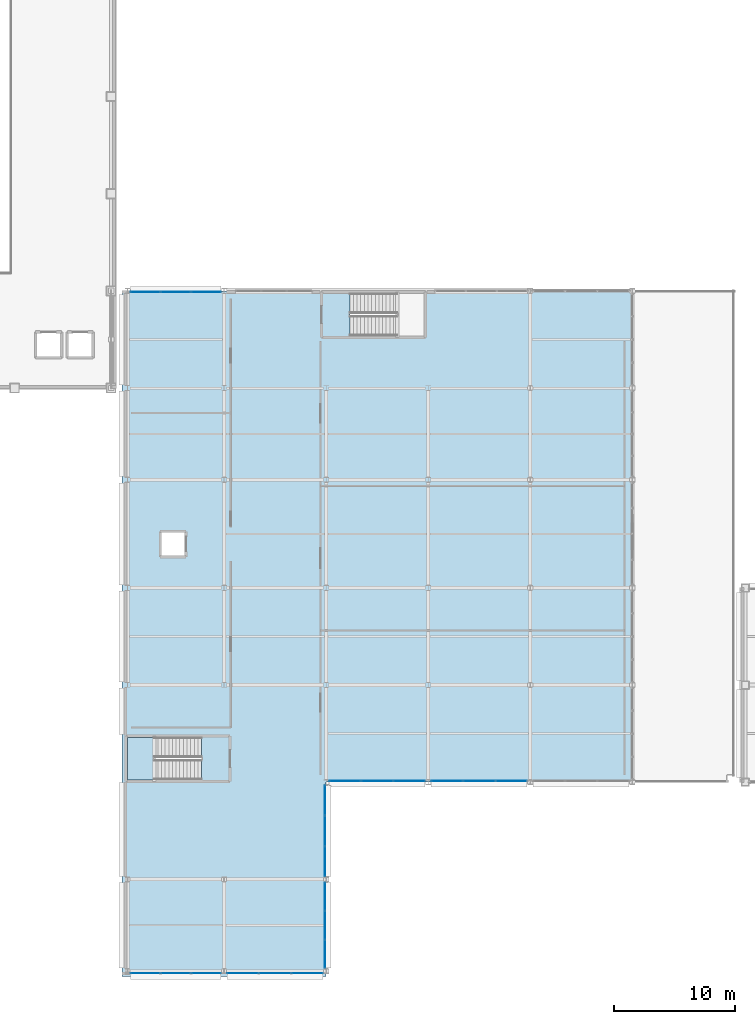
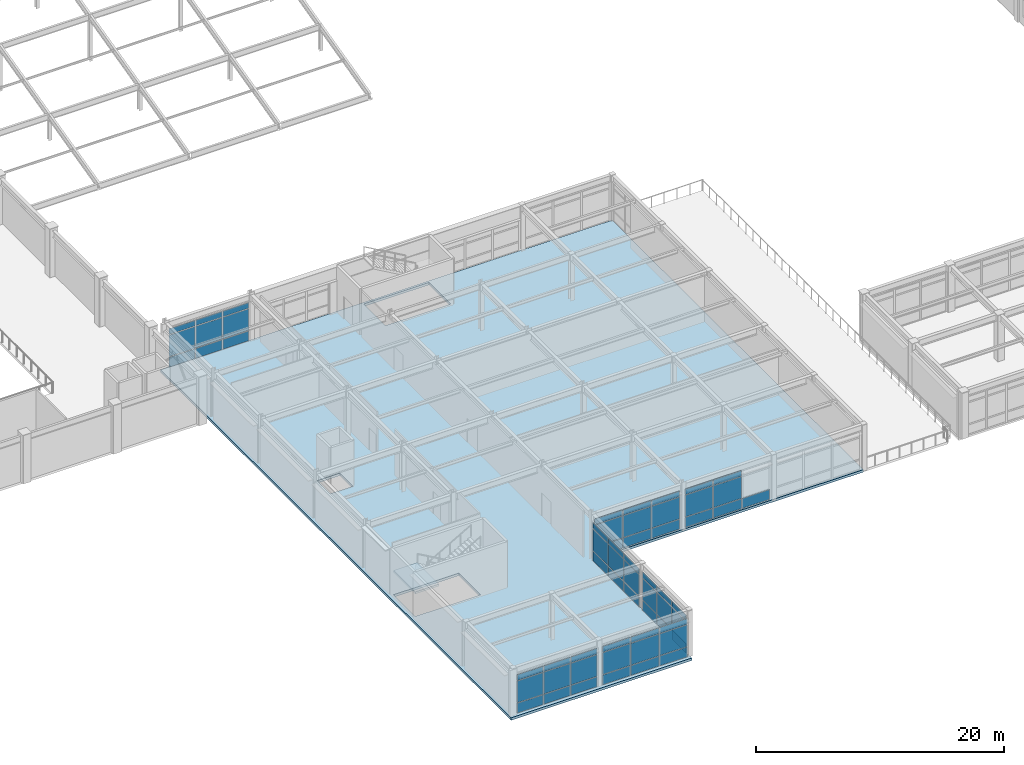
# One storey, part 65 of 93: 61 plates, 2 slabs, 8 elements without a shape of their own.
"""IFC4 building model written with IfcOpenShell, lengths in metres."""

from ifc_helpers import new_model, si_unit, direction, frame, origin, origin_2d, place, context, subcontext, project, spatial, polyline, rectangle, outline, extrude, material, layer, layer_set, type_object, element, aggregate, save


model = new_model("IFC4")

# Units and contexts
model_context = context("Model", 3, precision=1e-05, world=origin(), true_north=direction((0.0, 1.0)))
body_context = subcontext(model_context, "Body", "Model", "MODEL_VIEW")
ifc_project = project(units=[si_unit("LENGTHUNIT", "METRE"), si_unit("AREAUNIT", "SQUARE_METRE"), si_unit("VOLUMEUNIT", "CUBIC_METRE"), si_unit("PLANEANGLEUNIT", "RADIAN"), si_unit("MASSUNIT", "GRAM", prefix="KILO")], contexts=[model_context])

# Site, building, storey
site_placement = place(None, origin())
site = spatial("IfcSite", under=ifc_project, at=site_placement, CompositionType="ELEMENT")
building_placement = place(site_placement, origin())
building = spatial("IfcBuilding", under=site, at=building_placement, Name="Kazehara Bluff Congress Hotel", CompositionType="ELEMENT")
storey_placement = place(building_placement, frame((0.0, 0.0, 15.0)))
storey = spatial("IfcBuildingStorey", under=building, at=storey_placement, Name="L03", CompositionType="ELEMENT", Elevation=15.0)

# Curtain wall, plates
ifc_material_1 = material(Name="Anodised aluminium", Category="aluminium")
ifc_layer_1 = layer(ifc_material_1, 0.159912109375)
ifc_layer_set_1 = layer_set([ifc_layer_1], Name="Anodised aluminium")
curtain_wall_type_1 = type_object("IfcCurtainWallType", Name="TP-CW-21", PredefinedType="NOTDEFINED", material=ifc_layer_set_1)
curtain_wall_1_placement = place(storey_placement, origin())
curtain_wall_1 = element("IfcCurtainWall", 1, at=curtain_wall_1_placement, inside=storey, type_object=curtain_wall_type_1, Name="L03 curtain wall CW-21 CW-ENC-V4-L03-6368-27", PredefinedType="NOTDEFINED")
ifc_material_2 = material(Name="Insulated low-E double glazing", Category="glass")
ifc_layer_2 = layer(ifc_material_2, 0.028076171875)
ifc_layer_set_2 = layer_set([ifc_layer_2], Name="Insulated low-E double glazing")
plate_type = type_object("IfcPlateType", Name="TP-CWP-01", PredefinedType="CURTAIN_PANEL", material=ifc_layer_set_2)
plate_1_placement = place(storey_placement, frame((66.175537109375, 0.27001953125, 0.06494140625), z_axis=(0.0, 0.0, 1.0), x_axis=(-1.0, 0.0, 0.0)))
plate_1 = element("IfcPlate", 2, at=plate_1_placement, type_object=plate_type, Name="CW-21 panel 1.1", PredefinedType="CURTAIN_PANEL", context=body_context, shape_type="SweptSolid", body=[
    extrude(rectangle(XDim=2.419189453125, YDim=0.028076171875, at=origin_2d()), origin(), (0.0, 0.0, 1.0), 0.952392578125),
])
plate_2_placement = place(storey_placement, frame((66.175537109375, 0.27001953125, 1.08251953125), z_axis=(0.0, 0.0, 1.0), x_axis=(-1.0, 0.0, 0.0)))
plate_2 = element("IfcPlate", 3, at=plate_2_placement, type_object=plate_type, Name="CW-21 panel 1.2", PredefinedType="CURTAIN_PANEL", context=body_context, shape_type="SweptSolid", body=[
    extrude(rectangle(XDim=2.419189453125, YDim=0.028076171875, at=origin_2d()), origin(), (0.0, 0.0, 1.0), 2.1201171875),
])
plate_3_placement = place(storey_placement, frame((66.175537109375, 0.27001953125, 3.267578125), z_axis=(0.0, 0.0, 1.0), x_axis=(-1.0, 0.0, 0.0)))
plate_3 = element("IfcPlate", 4, at=plate_3_placement, type_object=plate_type, Name="CW-21 panel 1.3", PredefinedType="CURTAIN_PANEL", context=body_context, shape_type="SweptSolid", body=[
    extrude(rectangle(XDim=2.419189453125, YDim=0.028076171875, at=origin_2d()), origin(), (0.0, 0.0, 1.0), 0.552490234375),
])
plate_4_placement = place(storey_placement, frame((63.675048828125, 0.27001953125, 0.06494140625), z_axis=(0.0, 0.0, 1.0), x_axis=(-1.0, 0.0, 0.0)))
plate_4 = element("IfcPlate", 5, at=plate_4_placement, type_object=plate_type, Name="CW-21 panel 2.1", PredefinedType="CURTAIN_PANEL", context=body_context, shape_type="SweptSolid", body=[
    extrude(rectangle(XDim=2.45166015625, YDim=0.028076171875, at=origin_2d()), origin(), (0.0, 0.0, 1.0), 0.952392578125),
])
plate_5_placement = place(storey_placement, frame((63.675048828125, 0.27001953125, 1.08251953125), z_axis=(0.0, 0.0, 1.0), x_axis=(-1.0, 0.0, 0.0)))
plate_5 = element("IfcPlate", 6, at=plate_5_placement, type_object=plate_type, Name="CW-21 panel 2.2", PredefinedType="CURTAIN_PANEL", context=body_context, shape_type="SweptSolid", body=[
    extrude(rectangle(XDim=2.45166015625, YDim=0.028076171875, at=origin_2d()), origin(), (0.0, 0.0, 1.0), 2.1201171875),
])
plate_6_placement = place(storey_placement, frame((63.675048828125, 0.27001953125, 3.267578125), z_axis=(0.0, 0.0, 1.0), x_axis=(-1.0, 0.0, 0.0)))
plate_6 = element("IfcPlate", 7, at=plate_6_placement, type_object=plate_type, Name="CW-21 panel 2.3", PredefinedType="CURTAIN_PANEL", context=body_context, shape_type="SweptSolid", body=[
    extrude(rectangle(XDim=2.45166015625, YDim=0.028076171875, at=origin_2d()), origin(), (0.0, 0.0, 1.0), 0.552490234375),
])
plate_7_placement = place(storey_placement, frame((61.174560546875, 0.27001953125, 0.06494140625), z_axis=(0.0, 0.0, 1.0), x_axis=(-1.0, 0.0, 0.0)))
plate_7 = element("IfcPlate", 8, at=plate_7_placement, type_object=plate_type, Name="CW-21 panel 3.1", PredefinedType="CURTAIN_PANEL", context=body_context, shape_type="SweptSolid", body=[
    extrude(rectangle(XDim=2.419189453125, YDim=0.028076171875, at=origin_2d()), origin(), (0.0, 0.0, 1.0), 0.952392578125),
])
plate_8_placement = place(storey_placement, frame((61.174560546875, 0.27001953125, 1.08251953125), z_axis=(0.0, 0.0, 1.0), x_axis=(-1.0, 0.0, 0.0)))
plate_8 = element("IfcPlate", 9, at=plate_8_placement, type_object=plate_type, Name="CW-21 panel 3.2", PredefinedType="CURTAIN_PANEL", context=body_context, shape_type="SweptSolid", body=[
    extrude(rectangle(XDim=2.419189453125, YDim=0.028076171875, at=origin_2d()), origin(), (0.0, 0.0, 1.0), 2.1201171875),
])
plate_9_placement = place(storey_placement, frame((61.174560546875, 0.27001953125, 3.267578125), z_axis=(0.0, 0.0, 1.0), x_axis=(-1.0, 0.0, 0.0)))
plate_9 = element("IfcPlate", 10, at=plate_9_placement, type_object=plate_type, Name="CW-21 panel 3.3", PredefinedType="CURTAIN_PANEL", context=body_context, shape_type="SweptSolid", body=[
    extrude(rectangle(XDim=2.419189453125, YDim=0.028076171875, at=origin_2d()), origin(), (0.0, 0.0, 1.0), 0.552490234375),
])
aggregate(curtain_wall_1, [plate_1, plate_2, plate_3, plate_4, plate_5, plate_6, plate_7, plate_8, plate_9])

ifc_material_3 = material(Name="Anodised aluminium", Category="aluminium")
ifc_layer_3 = layer(ifc_material_3, 0.159912109375)
ifc_layer_set_3 = layer_set([ifc_layer_3], Name="Anodised aluminium")
curtain_wall_type_2 = type_object("IfcCurtainWallType", Name="TP-CW-143", PredefinedType="NOTDEFINED", material=ifc_layer_set_3)
curtain_wall_2_placement = place(storey_placement, origin())
curtain_wall_2 = element("IfcCurtainWall", 11, at=curtain_wall_2_placement, inside=storey, type_object=curtain_wall_type_2, Name="L03 curtain wall CW-143 CW-ENC-V4-L03-7185-27", PredefinedType="NOTDEFINED")
plate_10_placement = place(storey_placement, frame((74.50048828125, 0.27001953125, 0.06494140625), z_axis=(0.0, 0.0, 1.0), x_axis=(-1.0, 0.0, 0.0)))
plate_10 = element("IfcPlate", 12, at=plate_10_placement, type_object=plate_type, Name="CW-143 panel 1.1", PredefinedType="CURTAIN_PANEL", context=body_context, shape_type="SweptSolid", body=[
    extrude(rectangle(XDim=2.569091796875, YDim=0.028076171875, at=origin_2d()), origin(), (0.0, 0.0, 1.0), 0.952392578125),
])
plate_11_placement = place(storey_placement, frame((74.50048828125, 0.27001953125, 1.08251953125), z_axis=(0.0, 0.0, 1.0), x_axis=(-1.0, 0.0, 0.0)))
plate_11 = element("IfcPlate", 13, at=plate_11_placement, type_object=plate_type, Name="CW-143 panel 1.2", PredefinedType="CURTAIN_PANEL", context=body_context, shape_type="SweptSolid", body=[
    extrude(rectangle(XDim=2.569091796875, YDim=0.028076171875, at=origin_2d()), origin(), (0.0, 0.0, 1.0), 2.1201171875),
])
plate_12_placement = place(storey_placement, frame((74.50048828125, 0.27001953125, 3.267578125), z_axis=(0.0, 0.0, 1.0), x_axis=(-1.0, 0.0, 0.0)))
plate_12 = element("IfcPlate", 14, at=plate_12_placement, type_object=plate_type, Name="CW-143 panel 1.3", PredefinedType="CURTAIN_PANEL", context=body_context, shape_type="SweptSolid", body=[
    extrude(rectangle(XDim=2.569091796875, YDim=0.028076171875, at=origin_2d()), origin(), (0.0, 0.0, 1.0), 0.552490234375),
])
plate_13_placement = place(storey_placement, frame((71.85009765625, 0.27001953125, 0.06494140625), z_axis=(0.0, 0.0, 1.0), x_axis=(-1.0, 0.0, 0.0)))
plate_13 = element("IfcPlate", 15, at=plate_13_placement, type_object=plate_type, Name="CW-143 panel 2.1", PredefinedType="CURTAIN_PANEL", context=body_context, shape_type="SweptSolid", body=[
    extrude(rectangle(XDim=2.6015625, YDim=0.028076171875, at=origin_2d()), origin(), (0.0, 0.0, 1.0), 0.952392578125),
])
plate_14_placement = place(storey_placement, frame((71.85009765625, 0.27001953125, 1.08251953125), z_axis=(0.0, 0.0, 1.0), x_axis=(-1.0, 0.0, 0.0)))
plate_14 = element("IfcPlate", 16, at=plate_14_placement, type_object=plate_type, Name="CW-143 panel 2.2", PredefinedType="CURTAIN_PANEL", context=body_context, shape_type="SweptSolid", body=[
    extrude(rectangle(XDim=2.6015625, YDim=0.028076171875, at=origin_2d()), origin(), (0.0, 0.0, 1.0), 2.1201171875),
])
plate_15_placement = place(storey_placement, frame((71.85009765625, 0.27001953125, 3.267578125), z_axis=(0.0, 0.0, 1.0), x_axis=(-1.0, 0.0, 0.0)))
plate_15 = element("IfcPlate", 17, at=plate_15_placement, type_object=plate_type, Name="CW-143 panel 2.3", PredefinedType="CURTAIN_PANEL", context=body_context, shape_type="SweptSolid", body=[
    extrude(rectangle(XDim=2.6015625, YDim=0.028076171875, at=origin_2d()), origin(), (0.0, 0.0, 1.0), 0.552490234375),
])
plate_16_placement = place(storey_placement, frame((69.199462890625, 0.27001953125, 0.06494140625), z_axis=(0.0, 0.0, 1.0), x_axis=(-1.0, 0.0, 0.0)))
plate_16 = element("IfcPlate", 18, at=plate_16_placement, type_object=plate_type, Name="CW-143 panel 3.1", PredefinedType="CURTAIN_PANEL", context=body_context, shape_type="SweptSolid", body=[
    extrude(rectangle(XDim=2.569091796875, YDim=0.028076171875, at=origin_2d()), origin(), (0.0, 0.0, 1.0), 0.952392578125),
])
plate_17_placement = place(storey_placement, frame((69.199462890625, 0.27001953125, 1.08251953125), z_axis=(0.0, 0.0, 1.0), x_axis=(-1.0, 0.0, 0.0)))
plate_17 = element("IfcPlate", 19, at=plate_17_placement, type_object=plate_type, Name="CW-143 panel 3.2", PredefinedType="CURTAIN_PANEL", context=body_context, shape_type="SweptSolid", body=[
    extrude(rectangle(XDim=2.569091796875, YDim=0.028076171875, at=origin_2d()), origin(), (0.0, 0.0, 1.0), 2.1201171875),
])
plate_18_placement = place(storey_placement, frame((69.199462890625, 0.27001953125, 3.267578125), z_axis=(0.0, 0.0, 1.0), x_axis=(-1.0, 0.0, 0.0)))
plate_18 = element("IfcPlate", 20, at=plate_18_placement, type_object=plate_type, Name="CW-143 panel 3.3", PredefinedType="CURTAIN_PANEL", context=body_context, shape_type="SweptSolid", body=[
    extrude(rectangle(XDim=2.569091796875, YDim=0.028076171875, at=origin_2d()), origin(), (0.0, 0.0, 1.0), 0.552490234375),
])
aggregate(curtain_wall_2, [plate_10, plate_11, plate_12, plate_13, plate_14, plate_15, plate_16, plate_17, plate_18])

ifc_material_4 = material(Name="Anodised aluminium", Category="aluminium")
ifc_layer_4 = layer(ifc_material_4, 0.159912109375)
ifc_layer_set_4 = layer_set([ifc_layer_4], Name="Anodised aluminium")
curtain_wall_type_3 = type_object("IfcCurtainWallType", Name="TP-CW-144", PredefinedType="NOTDEFINED", material=ifc_layer_set_4)
curtain_wall_3_placement = place(storey_placement, origin())
curtain_wall_3 = element("IfcCurtainWall", 21, at=curtain_wall_3_placement, inside=storey, type_object=curtain_wall_type_3, Name="L03 curtain wall CW-144 CW-ENC-V4-L03-7595-422", PredefinedType="NOTDEFINED")
plate_19_placement = place(storey_placement, frame((75.949951171875, 6.592041015625, 0.06494140625), z_axis=(0.0, 0.0, 1.0), x_axis=(0.0, -1.0, 0.0)))
plate_19 = element("IfcPlate", 22, at=plate_19_placement, type_object=plate_type, Name="CW-144 panel 1.1", PredefinedType="CURTAIN_PANEL", context=body_context, shape_type="SweptSolid", body=[
    extrude(rectangle(XDim=2.285888671875, YDim=0.028076171875, at=origin_2d()), origin(), (0.0, 0.0, 1.0), 0.952392578125),
])
plate_20_placement = place(storey_placement, frame((75.949951171875, 6.592041015625, 1.08251953125), z_axis=(0.0, 0.0, 1.0), x_axis=(0.0, -1.0, 0.0)))
plate_20 = element("IfcPlate", 23, at=plate_20_placement, type_object=plate_type, Name="CW-144 panel 1.2", PredefinedType="CURTAIN_PANEL", context=body_context, shape_type="SweptSolid", body=[
    extrude(rectangle(XDim=2.285888671875, YDim=0.028076171875, at=origin_2d()), origin(), (0.0, 0.0, 1.0), 2.1201171875),
])
plate_21_placement = place(storey_placement, frame((75.949951171875, 6.592041015625, 3.267578125), z_axis=(0.0, 0.0, 1.0), x_axis=(0.0, -1.0, 0.0)))
plate_21 = element("IfcPlate", 24, at=plate_21_placement, type_object=plate_type, Name="CW-144 panel 1.3", PredefinedType="CURTAIN_PANEL", context=body_context, shape_type="SweptSolid", body=[
    extrude(rectangle(XDim=2.285888671875, YDim=0.028076171875, at=origin_2d()), origin(), (0.0, 0.0, 1.0), 0.552490234375),
])
plate_22_placement = place(storey_placement, frame((75.949951171875, 4.22509765625, 0.06494140625), z_axis=(0.0, 0.0, 1.0), x_axis=(0.0, -1.0, 0.0)))
plate_22 = element("IfcPlate", 25, at=plate_22_placement, type_object=plate_type, Name="CW-144 panel 2.1", PredefinedType="CURTAIN_PANEL", context=body_context, shape_type="SweptSolid", body=[
    extrude(rectangle(XDim=2.318359375, YDim=0.028076171875, at=origin_2d()), origin(), (0.0, 0.0, 1.0), 0.952392578125),
])
plate_23_placement = place(storey_placement, frame((75.949951171875, 4.22509765625, 1.08251953125), z_axis=(0.0, 0.0, 1.0), x_axis=(0.0, -1.0, 0.0)))
plate_23 = element("IfcPlate", 26, at=plate_23_placement, type_object=plate_type, Name="CW-144 panel 2.2", PredefinedType="CURTAIN_PANEL", context=body_context, shape_type="SweptSolid", body=[
    extrude(rectangle(XDim=2.318359375, YDim=0.028076171875, at=origin_2d()), origin(), (0.0, 0.0, 1.0), 2.1201171875),
])
plate_24_placement = place(storey_placement, frame((75.949951171875, 4.22509765625, 3.267578125), z_axis=(0.0, 0.0, 1.0), x_axis=(0.0, -1.0, 0.0)))
plate_24 = element("IfcPlate", 27, at=plate_24_placement, type_object=plate_type, Name="CW-144 panel 2.3", PredefinedType="CURTAIN_PANEL", context=body_context, shape_type="SweptSolid", body=[
    extrude(rectangle(XDim=2.318359375, YDim=0.028076171875, at=origin_2d()), origin(), (0.0, 0.0, 1.0), 0.552490234375),
])
plate_25_placement = place(storey_placement, frame((75.949951171875, 1.85791015625, 0.06494140625), z_axis=(0.0, 0.0, 1.0), x_axis=(0.0, -1.0, 0.0)))
plate_25 = element("IfcPlate", 28, at=plate_25_placement, type_object=plate_type, Name="CW-144 panel 3.1", PredefinedType="CURTAIN_PANEL", context=body_context, shape_type="SweptSolid", body=[
    extrude(rectangle(XDim=2.285888671875, YDim=0.028076171875, at=origin_2d()), origin(), (0.0, 0.0, 1.0), 0.952392578125),
])
plate_26_placement = place(storey_placement, frame((75.949951171875, 1.85791015625, 1.08251953125), z_axis=(0.0, 0.0, 1.0), x_axis=(0.0, -1.0, 0.0)))
plate_26 = element("IfcPlate", 29, at=plate_26_placement, type_object=plate_type, Name="CW-144 panel 3.2", PredefinedType="CURTAIN_PANEL", context=body_context, shape_type="SweptSolid", body=[
    extrude(rectangle(XDim=2.285888671875, YDim=0.028076171875, at=origin_2d()), origin(), (0.0, 0.0, 1.0), 2.1201171875),
])
plate_27_placement = place(storey_placement, frame((75.949951171875, 1.85791015625, 3.267578125), z_axis=(0.0, 0.0, 1.0), x_axis=(0.0, -1.0, 0.0)))
plate_27 = element("IfcPlate", 30, at=plate_27_placement, type_object=plate_type, Name="CW-144 panel 3.3", PredefinedType="CURTAIN_PANEL", context=body_context, shape_type="SweptSolid", body=[
    extrude(rectangle(XDim=2.285888671875, YDim=0.028076171875, at=origin_2d()), origin(), (0.0, 0.0, 1.0), 0.552490234375),
])
aggregate(curtain_wall_3, [plate_19, plate_20, plate_21, plate_22, plate_23, plate_24, plate_25, plate_26, plate_27])

ifc_material_5 = material(Name="Anodised aluminium", Category="aluminium")
ifc_layer_5 = layer(ifc_material_5, 0.159912109375)
ifc_layer_set_5 = layer_set([ifc_layer_5], Name="Anodised aluminium")
curtain_wall_type_4 = type_object("IfcCurtainWallType", Name="TP-CW-129", PredefinedType="NOTDEFINED", material=ifc_layer_set_5)
curtain_wall_4_placement = place(storey_placement, origin())
curtain_wall_4 = element("IfcCurtainWall", 31, at=curtain_wall_4_placement, inside=storey, type_object=curtain_wall_type_4, Name="L03 curtain wall CW-129 CW-ENC-V4-L03-7595-1200", PredefinedType="NOTDEFINED")
plate_28_placement = place(storey_placement, frame((75.949951171875, 14.51708984375, 0.06494140625), z_axis=(0.0, 0.0, 1.0), x_axis=(0.0, -1.0, 0.0)))
plate_28 = element("IfcPlate", 32, at=plate_28_placement, type_object=plate_type, Name="CW-129 panel 1.1", PredefinedType="CURTAIN_PANEL", context=body_context, shape_type="SweptSolid", body=[
    extrude(rectangle(XDim=2.435791015625, YDim=0.028076171875, at=origin_2d()), origin(), (0.0, 0.0, 1.0), 0.952392578125),
])
plate_29_placement = place(storey_placement, frame((75.949951171875, 14.51708984375, 1.08251953125), z_axis=(0.0, 0.0, 1.0), x_axis=(0.0, -1.0, 0.0)))
plate_29 = element("IfcPlate", 33, at=plate_29_placement, type_object=plate_type, Name="CW-129 panel 1.2", PredefinedType="CURTAIN_PANEL", context=body_context, shape_type="SweptSolid", body=[
    extrude(rectangle(XDim=2.435791015625, YDim=0.028076171875, at=origin_2d()), origin(), (0.0, 0.0, 1.0), 2.1201171875),
])
plate_30_placement = place(storey_placement, frame((75.949951171875, 14.51708984375, 3.267578125), z_axis=(0.0, 0.0, 1.0), x_axis=(0.0, -1.0, 0.0)))
plate_30 = element("IfcPlate", 34, at=plate_30_placement, type_object=plate_type, Name="CW-129 panel 1.3", PredefinedType="CURTAIN_PANEL", context=body_context, shape_type="SweptSolid", body=[
    extrude(rectangle(XDim=2.435791015625, YDim=0.028076171875, at=origin_2d()), origin(), (0.0, 0.0, 1.0), 0.552490234375),
])
plate_31_placement = place(storey_placement, frame((75.949951171875, 12.0, 0.06494140625), z_axis=(0.0, 0.0, 1.0), x_axis=(0.0, -1.0, 0.0)))
plate_31 = element("IfcPlate", 35, at=plate_31_placement, type_object=plate_type, Name="CW-129 panel 2.1", PredefinedType="CURTAIN_PANEL", context=body_context, shape_type="SweptSolid", body=[
    extrude(rectangle(XDim=2.46826171875, YDim=0.028076171875, at=origin_2d()), origin(), (0.0, 0.0, 1.0), 0.952392578125),
])
plate_32_placement = place(storey_placement, frame((75.949951171875, 12.0, 1.08251953125), z_axis=(0.0, 0.0, 1.0), x_axis=(0.0, -1.0, 0.0)))
plate_32 = element("IfcPlate", 36, at=plate_32_placement, type_object=plate_type, Name="CW-129 panel 2.2", PredefinedType="CURTAIN_PANEL", context=body_context, shape_type="SweptSolid", body=[
    extrude(rectangle(XDim=2.46826171875, YDim=0.028076171875, at=origin_2d()), origin(), (0.0, 0.0, 1.0), 2.1201171875),
])
plate_33_placement = place(storey_placement, frame((75.949951171875, 12.0, 3.267578125), z_axis=(0.0, 0.0, 1.0), x_axis=(0.0, -1.0, 0.0)))
plate_33 = element("IfcPlate", 37, at=plate_33_placement, type_object=plate_type, Name="CW-129 panel 2.3", PredefinedType="CURTAIN_PANEL", context=body_context, shape_type="SweptSolid", body=[
    extrude(rectangle(XDim=2.46826171875, YDim=0.028076171875, at=origin_2d()), origin(), (0.0, 0.0, 1.0), 0.552490234375),
])
plate_34_placement = place(storey_placement, frame((75.949951171875, 9.48291015625, 0.06494140625), z_axis=(0.0, 0.0, 1.0), x_axis=(0.0, -1.0, 0.0)))
plate_34 = element("IfcPlate", 38, at=plate_34_placement, type_object=plate_type, Name="CW-129 panel 3.1", PredefinedType="CURTAIN_PANEL", context=body_context, shape_type="SweptSolid", body=[
    extrude(rectangle(XDim=2.435791015625, YDim=0.028076171875, at=origin_2d()), origin(), (0.0, 0.0, 1.0), 0.952392578125),
])
plate_35_placement = place(storey_placement, frame((75.949951171875, 9.48291015625, 1.08251953125), z_axis=(0.0, 0.0, 1.0), x_axis=(0.0, -1.0, 0.0)))
plate_35 = element("IfcPlate", 39, at=plate_35_placement, type_object=plate_type, Name="CW-129 panel 3.2", PredefinedType="CURTAIN_PANEL", context=body_context, shape_type="SweptSolid", body=[
    extrude(rectangle(XDim=2.435791015625, YDim=0.028076171875, at=origin_2d()), origin(), (0.0, 0.0, 1.0), 2.1201171875),
])
plate_36_placement = place(storey_placement, frame((75.949951171875, 9.48291015625, 3.267578125), z_axis=(0.0, 0.0, 1.0), x_axis=(0.0, -1.0, 0.0)))
plate_36 = element("IfcPlate", 40, at=plate_36_placement, type_object=plate_type, Name="CW-129 panel 3.3", PredefinedType="CURTAIN_PANEL", context=body_context, shape_type="SweptSolid", body=[
    extrude(rectangle(XDim=2.435791015625, YDim=0.028076171875, at=origin_2d()), origin(), (0.0, 0.0, 1.0), 0.552490234375),
])
aggregate(curtain_wall_4, [plate_28, plate_29, plate_30, plate_31, plate_32, plate_33, plate_34, plate_35, plate_36])

curtain_wall_5_placement = place(storey_placement, origin())
curtain_wall_5 = element("IfcCurtainWall", 41, at=curtain_wall_5_placement, inside=storey, type_object=curtain_wall_type_2, Name="L03 curtain wall CW-143 CW-ENC-V4-L03-8025-1610", PredefinedType="NOTDEFINED")
plate_37_placement = place(storey_placement, frame((82.900390625, 16.10009765625, 0.06494140625), z_axis=(0.0, 0.0, 1.0), x_axis=(-1.0, 0.0, 0.0)))
plate_37 = element("IfcPlate", 42, at=plate_37_placement, type_object=plate_type, Name="CW-143 panel 1.1", PredefinedType="CURTAIN_PANEL", context=body_context, shape_type="SweptSolid", body=[
    extrude(rectangle(XDim=2.569091796875, YDim=0.028076171875, at=origin_2d()), origin(), (0.0, 0.0, 1.0), 0.952392578125),
])
plate_38_placement = place(storey_placement, frame((82.900390625, 16.10009765625, 1.08251953125), z_axis=(0.0, 0.0, 1.0), x_axis=(-1.0, 0.0, 0.0)))
plate_38 = element("IfcPlate", 43, at=plate_38_placement, type_object=plate_type, Name="CW-143 panel 1.2", PredefinedType="CURTAIN_PANEL", context=body_context, shape_type="SweptSolid", body=[
    extrude(rectangle(XDim=2.569091796875, YDim=0.028076171875, at=origin_2d()), origin(), (0.0, 0.0, 1.0), 2.1201171875),
])
plate_39_placement = place(storey_placement, frame((82.900390625, 16.10009765625, 3.267578125), z_axis=(0.0, 0.0, 1.0), x_axis=(-1.0, 0.0, 0.0)))
plate_39 = element("IfcPlate", 44, at=plate_39_placement, type_object=plate_type, Name="CW-143 panel 1.3", PredefinedType="CURTAIN_PANEL", context=body_context, shape_type="SweptSolid", body=[
    extrude(rectangle(XDim=2.569091796875, YDim=0.028076171875, at=origin_2d()), origin(), (0.0, 0.0, 1.0), 0.552490234375),
])
plate_40_placement = place(storey_placement, frame((80.25, 16.10009765625, 0.06494140625), z_axis=(0.0, 0.0, 1.0), x_axis=(-1.0, 0.0, 0.0)))
plate_40 = element("IfcPlate", 45, at=plate_40_placement, type_object=plate_type, Name="CW-143 panel 2.1", PredefinedType="CURTAIN_PANEL", context=body_context, shape_type="SweptSolid", body=[
    extrude(rectangle(XDim=2.6015625, YDim=0.028076171875, at=origin_2d()), origin(), (0.0, 0.0, 1.0), 0.952392578125),
])
plate_41_placement = place(storey_placement, frame((80.25, 16.10009765625, 1.08251953125), z_axis=(0.0, 0.0, 1.0), x_axis=(-1.0, 0.0, 0.0)))
plate_41 = element("IfcPlate", 46, at=plate_41_placement, type_object=plate_type, Name="CW-143 panel 2.2", PredefinedType="CURTAIN_PANEL", context=body_context, shape_type="SweptSolid", body=[
    extrude(rectangle(XDim=2.6015625, YDim=0.028076171875, at=origin_2d()), origin(), (0.0, 0.0, 1.0), 2.1201171875),
])
plate_42_placement = place(storey_placement, frame((80.25, 16.10009765625, 3.267578125), z_axis=(0.0, 0.0, 1.0), x_axis=(-1.0, 0.0, 0.0)))
plate_42 = element("IfcPlate", 47, at=plate_42_placement, type_object=plate_type, Name="CW-143 panel 2.3", PredefinedType="CURTAIN_PANEL", context=body_context, shape_type="SweptSolid", body=[
    extrude(rectangle(XDim=2.6015625, YDim=0.028076171875, at=origin_2d()), origin(), (0.0, 0.0, 1.0), 0.552490234375),
])
plate_43_placement = place(storey_placement, frame((77.599609375, 16.10009765625, 0.06494140625), z_axis=(0.0, 0.0, 1.0), x_axis=(-1.0, 0.0, 0.0)))
plate_43 = element("IfcPlate", 48, at=plate_43_placement, type_object=plate_type, Name="CW-143 panel 3.1", PredefinedType="CURTAIN_PANEL", context=body_context, shape_type="SweptSolid", body=[
    extrude(rectangle(XDim=2.569091796875, YDim=0.028076171875, at=origin_2d()), origin(), (0.0, 0.0, 1.0), 0.952392578125),
])
plate_44_placement = place(storey_placement, frame((77.599609375, 16.10009765625, 1.08251953125), z_axis=(0.0, 0.0, 1.0), x_axis=(-1.0, 0.0, 0.0)))
plate_44 = element("IfcPlate", 49, at=plate_44_placement, type_object=plate_type, Name="CW-143 panel 3.2", PredefinedType="CURTAIN_PANEL", context=body_context, shape_type="SweptSolid", body=[
    extrude(rectangle(XDim=2.569091796875, YDim=0.028076171875, at=origin_2d()), origin(), (0.0, 0.0, 1.0), 2.1201171875),
])
plate_45_placement = place(storey_placement, frame((77.599609375, 16.10009765625, 3.267578125), z_axis=(0.0, 0.0, 1.0), x_axis=(-1.0, 0.0, 0.0)))
plate_45 = element("IfcPlate", 50, at=plate_45_placement, type_object=plate_type, Name="CW-143 panel 3.3", PredefinedType="CURTAIN_PANEL", context=body_context, shape_type="SweptSolid", body=[
    extrude(rectangle(XDim=2.569091796875, YDim=0.028076171875, at=origin_2d()), origin(), (0.0, 0.0, 1.0), 0.552490234375),
])
aggregate(curtain_wall_5, [plate_37, plate_38, plate_39, plate_40, plate_41, plate_42, plate_43, plate_44, plate_45])

curtain_wall_6_placement = place(storey_placement, origin())
curtain_wall_6 = element("IfcCurtainWall", 51, at=curtain_wall_6_placement, inside=storey, type_object=curtain_wall_type_2, Name="L03 curtain wall CW-143 CW-ENC-V4-L03-8865-1610", PredefinedType="NOTDEFINED")
plate_46_placement = place(storey_placement, frame((91.300537109375, 16.10009765625, 0.06494140625), z_axis=(0.0, 0.0, 1.0), x_axis=(-1.0, 0.0, 0.0)))
plate_46 = element("IfcPlate", 52, at=plate_46_placement, type_object=plate_type, Name="CW-143 panel 1.1", PredefinedType="CURTAIN_PANEL", context=body_context, shape_type="SweptSolid", body=[
    extrude(rectangle(XDim=2.569091796875, YDim=0.028076171875, at=origin_2d()), origin(), (0.0, 0.0, 1.0), 0.952392578125),
])
plate_47_placement = place(storey_placement, frame((88.64990234375, 16.10009765625, 0.06494140625), z_axis=(0.0, 0.0, 1.0), x_axis=(-1.0, 0.0, 0.0)))
plate_47 = element("IfcPlate", 53, at=plate_47_placement, type_object=plate_type, Name="CW-143 panel 2.1", PredefinedType="CURTAIN_PANEL", context=body_context, shape_type="SweptSolid", body=[
    extrude(rectangle(XDim=2.6015625, YDim=0.028076171875, at=origin_2d()), origin(), (0.0, 0.0, 1.0), 0.952392578125),
])
plate_48_placement = place(storey_placement, frame((88.64990234375, 16.10009765625, 1.08251953125), z_axis=(0.0, 0.0, 1.0), x_axis=(-1.0, 0.0, 0.0)))
plate_48 = element("IfcPlate", 54, at=plate_48_placement, type_object=plate_type, Name="CW-143 panel 2.2", PredefinedType="CURTAIN_PANEL", context=body_context, shape_type="SweptSolid", body=[
    extrude(rectangle(XDim=2.6015625, YDim=0.028076171875, at=origin_2d()), origin(), (0.0, 0.0, 1.0), 2.1201171875),
])
plate_49_placement = place(storey_placement, frame((88.64990234375, 16.10009765625, 3.267578125), z_axis=(0.0, 0.0, 1.0), x_axis=(-1.0, 0.0, 0.0)))
plate_49 = element("IfcPlate", 55, at=plate_49_placement, type_object=plate_type, Name="CW-143 panel 2.3", PredefinedType="CURTAIN_PANEL", context=body_context, shape_type="SweptSolid", body=[
    extrude(rectangle(XDim=2.6015625, YDim=0.028076171875, at=origin_2d()), origin(), (0.0, 0.0, 1.0), 0.552490234375),
])
plate_50_placement = place(storey_placement, frame((85.99951171875, 16.10009765625, 0.06494140625), z_axis=(0.0, 0.0, 1.0), x_axis=(-1.0, 0.0, 0.0)))
plate_50 = element("IfcPlate", 56, at=plate_50_placement, type_object=plate_type, Name="CW-143 panel 3.1", PredefinedType="CURTAIN_PANEL", context=body_context, shape_type="SweptSolid", body=[
    extrude(rectangle(XDim=2.569091796875, YDim=0.028076171875, at=origin_2d()), origin(), (0.0, 0.0, 1.0), 0.952392578125),
])
plate_51_placement = place(storey_placement, frame((85.99951171875, 16.10009765625, 1.08251953125), z_axis=(0.0, 0.0, 1.0), x_axis=(-1.0, 0.0, 0.0)))
plate_51 = element("IfcPlate", 57, at=plate_51_placement, type_object=plate_type, Name="CW-143 panel 3.2", PredefinedType="CURTAIN_PANEL", context=body_context, shape_type="SweptSolid", body=[
    extrude(rectangle(XDim=2.569091796875, YDim=0.028076171875, at=origin_2d()), origin(), (0.0, 0.0, 1.0), 2.1201171875),
])
plate_52_placement = place(storey_placement, frame((85.99951171875, 16.10009765625, 3.267578125), z_axis=(0.0, 0.0, 1.0), x_axis=(-1.0, 0.0, 0.0)))
plate_52 = element("IfcPlate", 58, at=plate_52_placement, type_object=plate_type, Name="CW-143 panel 3.3", PredefinedType="CURTAIN_PANEL", context=body_context, shape_type="SweptSolid", body=[
    extrude(rectangle(XDim=2.569091796875, YDim=0.028076171875, at=origin_2d()), origin(), (0.0, 0.0, 1.0), 0.552490234375),
])
aggregate(curtain_wall_6, [plate_46, plate_47, plate_48, plate_49, plate_50, plate_51, plate_52])

curtain_wall_7_placement = place(storey_placement, origin())
curtain_wall_7 = element("IfcCurtainWall", 59, at=curtain_wall_7_placement, inside=storey, type_object=curtain_wall_type_1, Name="L03 curtain wall CW-21 CW-ENC-V4-L03-6368-5635", PredefinedType="NOTDEFINED")
plate_53_placement = place(storey_placement, frame((61.174560546875, 56.35009765625, 0.06494140625), z_axis=(0.0, 0.0, 1.0), x_axis=(1.0, 0.0, 0.0)))
plate_53 = element("IfcPlate", 60, at=plate_53_placement, type_object=plate_type, Name="CW-21 panel 1.1", PredefinedType="CURTAIN_PANEL", context=body_context, shape_type="SweptSolid", body=[
    extrude(rectangle(XDim=2.419189453125, YDim=0.028076171875, at=origin_2d()), origin(), (0.0, 0.0, 1.0), 0.952392578125),
])
plate_54_placement = place(storey_placement, frame((61.174560546875, 56.35009765625, 1.08251953125), z_axis=(0.0, 0.0, 1.0), x_axis=(1.0, 0.0, 0.0)))
plate_54 = element("IfcPlate", 61, at=plate_54_placement, type_object=plate_type, Name="CW-21 panel 1.2", PredefinedType="CURTAIN_PANEL", context=body_context, shape_type="SweptSolid", body=[
    extrude(rectangle(XDim=2.419189453125, YDim=0.028076171875, at=origin_2d()), origin(), (0.0, 0.0, 1.0), 2.1201171875),
])
plate_55_placement = place(storey_placement, frame((61.174560546875, 56.35009765625, 3.267578125), z_axis=(0.0, 0.0, 1.0), x_axis=(1.0, 0.0, 0.0)))
plate_55 = element("IfcPlate", 62, at=plate_55_placement, type_object=plate_type, Name="CW-21 panel 1.3", PredefinedType="CURTAIN_PANEL", context=body_context, shape_type="SweptSolid", body=[
    extrude(rectangle(XDim=2.419189453125, YDim=0.028076171875, at=origin_2d()), origin(), (0.0, 0.0, 1.0), 0.552490234375),
])
plate_56_placement = place(storey_placement, frame((63.675048828125, 56.35009765625, 0.06494140625), z_axis=(0.0, 0.0, 1.0), x_axis=(1.0, 0.0, 0.0)))
plate_56 = element("IfcPlate", 63, at=plate_56_placement, type_object=plate_type, Name="CW-21 panel 2.1", PredefinedType="CURTAIN_PANEL", context=body_context, shape_type="SweptSolid", body=[
    extrude(rectangle(XDim=2.45166015625, YDim=0.028076171875, at=origin_2d()), origin(), (0.0, 0.0, 1.0), 0.952392578125),
])
plate_57_placement = place(storey_placement, frame((63.675048828125, 56.35009765625, 1.08251953125), z_axis=(0.0, 0.0, 1.0), x_axis=(1.0, 0.0, 0.0)))
plate_57 = element("IfcPlate", 64, at=plate_57_placement, type_object=plate_type, Name="CW-21 panel 2.2", PredefinedType="CURTAIN_PANEL", context=body_context, shape_type="SweptSolid", body=[
    extrude(rectangle(XDim=2.45166015625, YDim=0.028076171875, at=origin_2d()), origin(), (0.0, 0.0, 1.0), 2.1201171875),
])
plate_58_placement = place(storey_placement, frame((63.675048828125, 56.35009765625, 3.267578125), z_axis=(0.0, 0.0, 1.0), x_axis=(1.0, 0.0, 0.0)))
plate_58 = element("IfcPlate", 65, at=plate_58_placement, type_object=plate_type, Name="CW-21 panel 2.3", PredefinedType="CURTAIN_PANEL", context=body_context, shape_type="SweptSolid", body=[
    extrude(rectangle(XDim=2.45166015625, YDim=0.028076171875, at=origin_2d()), origin(), (0.0, 0.0, 1.0), 0.552490234375),
])
plate_59_placement = place(storey_placement, frame((66.175537109375, 56.35009765625, 0.06494140625), z_axis=(0.0, 0.0, 1.0), x_axis=(1.0, 0.0, 0.0)))
plate_59 = element("IfcPlate", 66, at=plate_59_placement, type_object=plate_type, Name="CW-21 panel 3.1", PredefinedType="CURTAIN_PANEL", context=body_context, shape_type="SweptSolid", body=[
    extrude(rectangle(XDim=2.419189453125, YDim=0.028076171875, at=origin_2d()), origin(), (0.0, 0.0, 1.0), 0.952392578125),
])
plate_60_placement = place(storey_placement, frame((66.175537109375, 56.35009765625, 1.08251953125), z_axis=(0.0, 0.0, 1.0), x_axis=(1.0, 0.0, 0.0)))
plate_60 = element("IfcPlate", 67, at=plate_60_placement, type_object=plate_type, Name="CW-21 panel 3.2", PredefinedType="CURTAIN_PANEL", context=body_context, shape_type="SweptSolid", body=[
    extrude(rectangle(XDim=2.419189453125, YDim=0.028076171875, at=origin_2d()), origin(), (0.0, 0.0, 1.0), 2.1201171875),
])
plate_61_placement = place(storey_placement, frame((66.175537109375, 56.35009765625, 3.267578125), z_axis=(0.0, 0.0, 1.0), x_axis=(1.0, 0.0, 0.0)))
plate_61 = element("IfcPlate", 68, at=plate_61_placement, type_object=plate_type, Name="CW-21 panel 3.3", PredefinedType="CURTAIN_PANEL", context=body_context, shape_type="SweptSolid", body=[
    extrude(rectangle(XDim=2.419189453125, YDim=0.028076171875, at=origin_2d()), origin(), (0.0, 0.0, 1.0), 0.552490234375),
])
aggregate(curtain_wall_7, [plate_53, plate_54, plate_55, plate_56, plate_57, plate_58, plate_59, plate_60, plate_61])

# Slab
ifc_material_6 = material(Name="Concrete C36/45", Category="concrete")
ifc_layer_6 = layer(ifc_material_6, 0.239990234375)
ifc_layer_set_6 = layer_set([ifc_layer_6], Name="Concrete C36/45")
slab_type_1 = type_object("IfcSlabType", Name="TP-SL-240", PredefinedType="FLOOR", material=ifc_layer_set_6)
slab_1_placement = place(storey_placement, frame((0.0, 0.0, -0.239990234375)))
element("IfcSlab", 69, at=slab_1_placement, inside=storey, type_object=slab_type_1, Name="L03 V4 composite floor slab", PredefinedType="FLOOR", context=body_context, shape_type="SweptSolid", body=[
    extrude(outline(polyline([(59.25, 0.0), (76.050048828125, 0.0), (76.050048828125, 16.0), (101.25, 16.0), (101.25, 56.449951171875), (59.25, 56.449951171875), (59.25, 0.0)]), holes=[polyline([(65.77490234375, 19.699951171875), (59.699951171875, 19.699951171875), (59.699951171875, 16.199951171875), (65.77490234375, 16.199951171875), (65.77490234375, 19.699951171875)]), polyline([(78.02490234375, 52.75), (84.10009765625, 52.75), (84.10009765625, 56.25), (78.02490234375, 56.25), (78.02490234375, 52.75)]), polyline([(62.39990234375, 34.550048828125), (64.5, 34.550048828125), (64.5, 36.64990234375), (62.39990234375, 36.64990234375), (62.39990234375, 34.550048828125)])]), origin(), (0.0, 0.0, 1.0), 0.239990234375),
])

# Stair, slab
ifc_material_7 = material(Name="Concrete C36/45", Category="concrete")
stair_type = type_object("IfcStairType", Name="TP-ST-T02", PredefinedType="HALF_TURN_STAIR", material=ifc_material_7)
stair_placement = place(storey_placement, origin())
stair = element("IfcStair", 70, at=stair_placement, inside=storey, type_object=stair_type, Name="L03 Escape stair ST-08", PredefinedType="HALF_TURN_STAIR")
ifc_material_8 = material(Name="Concrete C36/45", Category="concrete")
ifc_layer_7 = layer(ifc_material_8, 0.199951171875)
ifc_layer_set_7 = layer_set([ifc_layer_7], Name="Concrete C36/45")
slab_type_2 = type_object("IfcSlabType", Name="TP-SLD-200", PredefinedType="LANDING", material=ifc_layer_set_7)
slab_2_placement = place(storey_placement, frame((0.0, 0.0, 2.199951171875)))
slab_2 = element("IfcSlab", 71, at=slab_2_placement, type_object=slab_type_2, Name="ST-08 landing 1", PredefinedType="LANDING", context=body_context, shape_type="SweptSolid", body=[
    extrude(outline(polyline([(61.89990234375, 19.699951171875), (59.699951171875, 19.699951171875), (59.699951171875, 16.199951171875), (61.89990234375, 16.199951171875), (61.89990234375, 19.699951171875)])), origin(), (0.0, 0.0, 1.0), 0.199951171875),
])
aggregate(stair, [slab_2])

save(model, "model.ifc")
